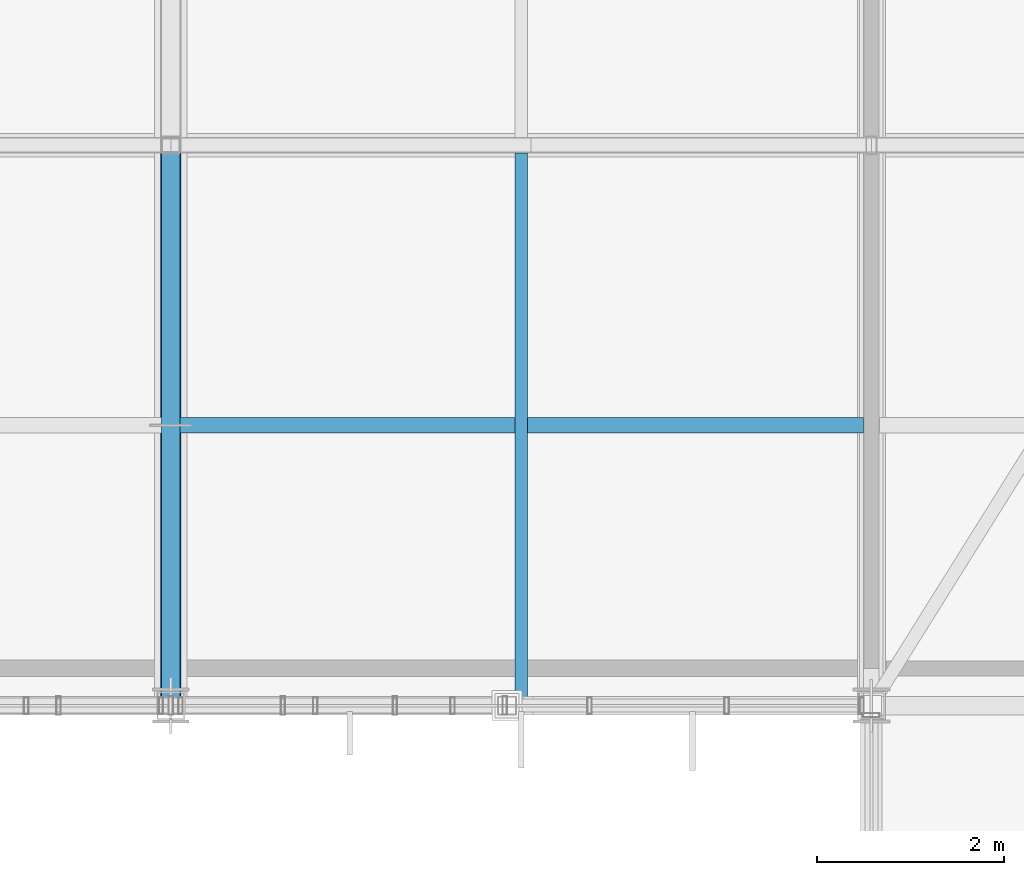
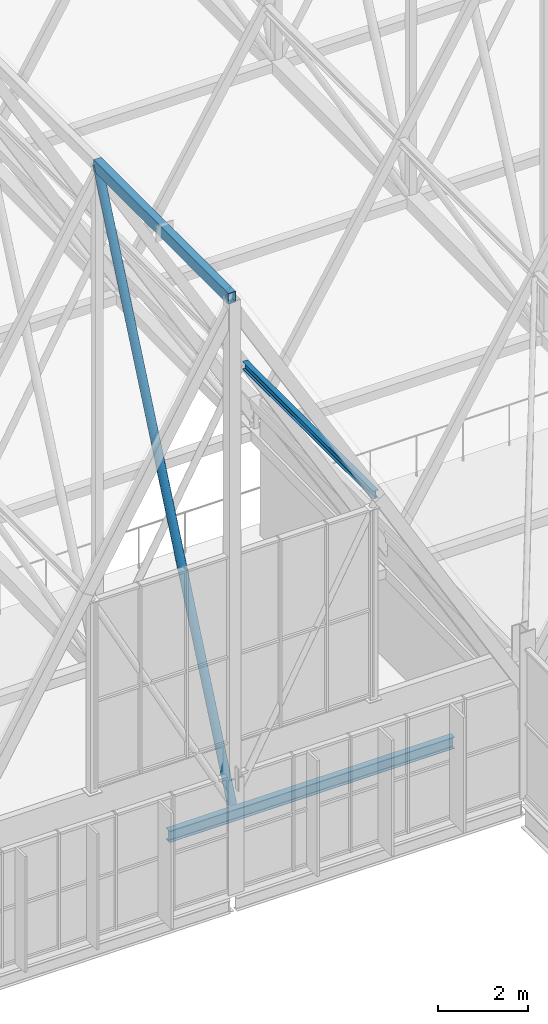
# One storey, part 138 of 324: 2 beams, 2 members.
"""IFC4 building model written with IfcOpenShell, lengths in metres."""

import ifcopenshell
import ifcopenshell.guid

model = None  # the IFC model being written
_history = None  # IfcOwnerHistory: only IFC2X3 demands one
_inside = {}  # id of a spatial element -> (the spatial element, [elements in it])
_under = {}  # id of a project, library or spatial element -> (it, [spatial elements below it])
_declared = {}  # id of a project -> (the project, [libraries it declares])
_typed = {}  # id of a type object -> (the type object, [elements of that type])
_made_of = {}  # id of a material, layer set ... -> (it, [elements and type objects made of it])


def new_model(schema):
    """Start an empty IFC model of exactly this schema.

    Asked for "IFC4X3", IfcOpenShell would pick the latest addendum, in which some entities
    have other attributes; the version numbers below select the first issue.
    IFC2X3 requires an IfcOwnerHistory on every rooted entity: one is made here for all.
    """
    global model, _history
    if schema == "IFC4X3":
        model = ifcopenshell.file(schema_version=(4, 3, 0, 0))
    else:
        model = ifcopenshell.file(schema=schema)
    _inside.clear()
    _under.clear()
    _declared.clear()
    _typed.clear()
    _made_of.clear()
    _history = None
    if model.schema == "IFC2X3":
        org = make("IfcOrganization", Name="unknown")
        user = make(
            "IfcPersonAndOrganization",
            ThePerson=make("IfcPerson", FamilyName="unknown"),
            TheOrganization=org,
        )
        app = make(
            "IfcApplication",
            ApplicationDeveloper=org,
            Version="unknown",
            ApplicationFullName="unknown",
            ApplicationIdentifier="unknown",
        )
        _history = make(
            "IfcOwnerHistory",
            OwningUser=user,
            OwningApplication=app,
            ChangeAction="ADDED",
            CreationDate=0,
        )
    return model


def make(cls, **values):
    """One entity of the class cls with the attributes given. An attribute that is None is left unset."""
    return model.create_entity(
        cls, **{name: value for name, value in values.items() if value is not None}
    )


def rooted(cls, **values):
    """An entity with a GlobalId (a new one), such as an element, a storey or a relation."""
    return make(cls, GlobalId=ifcopenshell.guid.new(), OwnerHistory=_history, **values)


def si_unit(unit_type, name, prefix=None):
    """IfcSIUnit, for example si_unit("LENGTHUNIT", "METRE", prefix="MILLI")."""
    return make("IfcSIUnit", UnitType=unit_type, Prefix=prefix, Name=name)


def assignment(units):
    """IfcUnitAssignment: the units of a project."""
    return None if units is None else make("IfcUnitAssignment", Units=units)


def point(xyz):
    """IfcCartesianPoint."""
    return None if xyz is None else make("IfcCartesianPoint", Coordinates=xyz)


def direction(xyz):
    """IfcDirection."""
    return None if xyz is None else make("IfcDirection", DirectionRatios=xyz)


def frame(location, z_axis=None, x_axis=None):
    """IfcAxis2Placement3D, a coordinate frame: its origin and axes. An axis left out is left unset."""
    return make(
        "IfcAxis2Placement3D",
        Location=point(location),
        Axis=direction(z_axis),
        RefDirection=direction(x_axis),
    )


def frame_2d(location, x_axis=None):
    """IfcAxis2Placement2D, a coordinate frame in the plane: its origin and x axis."""
    return make(
        "IfcAxis2Placement2D", Location=point(location), RefDirection=direction(x_axis)
    )


def origin():
    """The frame at (0, 0, 0) with its axes left unset."""
    return frame((0.0, 0.0, 0.0))


def origin_2d():
    """The frame at (0, 0) in the plane with its x axis left unset."""
    return frame_2d((0.0, 0.0))


def place(relative_to, where):
    """IfcLocalPlacement: puts the frame where relative to a parent placement (None: the world)."""
    return make(
        "IfcLocalPlacement", PlacementRelTo=relative_to, RelativePlacement=where
    )


def context(
    kind, dimensions, precision=None, world=None, true_north=None, identifier=None
):
    """IfcGeometricRepresentationContext, for example the 3D "Model" context."""
    return make(
        "IfcGeometricRepresentationContext",
        ContextIdentifier=identifier,
        ContextType=kind,
        CoordinateSpaceDimension=dimensions,
        Precision=precision,
        WorldCoordinateSystem=world,
        TrueNorth=true_north,
    )


def subcontext(parent, identifier, kind, view, scale=None):
    """IfcGeometricRepresentationSubContext, for example "Body" below "Model"."""
    return make(
        "IfcGeometricRepresentationSubContext",
        ContextIdentifier=identifier,
        ContextType=kind,
        ParentContext=parent,
        TargetScale=scale,
        TargetView=view,
    )


def project(units=None, contexts=None):
    """IfcProject with its units and contexts."""
    return rooted(
        "IfcProject",
        Name="project",
        RepresentationContexts=contexts,
        UnitsInContext=assignment(units),
    )


def spatial(cls, under=None, at=None, **own):
    """A site, building, storey or space (cls), placed at a placement, below another one or the project."""
    s = rooted(cls, ObjectPlacement=at, **own)
    if under is not None:
        _under.setdefault(under.id(), (under, []))[1].append(s)
    return s


def profile(cls, at=None, kind="AREA", **sizes):
    """A parametric profile (cls). Its sizes go by their IFC names, for example OverallWidth=200.0."""
    return make(cls, ProfileType=kind, Position=at, **sizes)


def hollow_rectangle(**sizes):
    """IfcRectangleHollowProfileDef."""
    return profile("IfcRectangleHollowProfileDef", **sizes)


def hollow_circle(**sizes):
    """IfcCircleHollowProfileDef."""
    return profile("IfcCircleHollowProfileDef", **sizes)


def i_section(**sizes):
    """IfcIShapeProfileDef."""
    return profile("IfcIShapeProfileDef", **sizes)


def extrude(swept, where, along, depth):
    """IfcExtrudedAreaSolid: the profile swept, set in the frame where, extruded along a direction by depth."""
    return make(
        "IfcExtrudedAreaSolid",
        SweptArea=swept,
        Position=where,
        ExtrudedDirection=direction(along),
        Depth=depth,
    )


def shape(context_of_items, identifier, shape_type, items):
    """IfcShapeRepresentation: the items that make up one representation, for example the "Body"."""
    return make(
        "IfcShapeRepresentation",
        ContextOfItems=context_of_items,
        RepresentationIdentifier=identifier,
        RepresentationType=shape_type,
        Items=items,
    )


def material(Name=None, Category=None):
    """IfcMaterial."""
    return make("IfcMaterial", Name=Name, Category=Category)


def material_profile(
    of_material, cross_section, Name=None, Category=None, Priority=None
):
    """IfcMaterialProfile: a cross section and its material."""
    return make(
        "IfcMaterialProfile",
        Name=Name,
        Material=of_material,
        Profile=cross_section,
        Priority=Priority,
        Category=Category,
    )


def profile_set(profiles, Name=None, composite=None):
    """IfcMaterialProfileSet."""
    return make(
        "IfcMaterialProfileSet",
        Name=Name,
        MaterialProfiles=profiles,
        CompositeProfile=composite,
    )


def made_of(thing, what):
    """Note that an element or type object is made of a material, layer set ...; save() writes the relation."""
    if what is not None:
        _made_of.setdefault(what.id(), (what, []))[1].append(thing)
    return thing


def type_object(cls, material=None, **own):
    """A type object (cls), such as IfcWallType, which elements share."""
    return made_of(rooted(cls, **own), material)


def element(
    cls,
    number,
    at=None,
    inside=None,
    cuts=None,
    type_object=None,
    material=None,
    context=None,
    identifier="Body",
    shape_type=None,
    held_by="IfcProductDefinitionShape",
    body=None,
    shapes=None,
    **own,
):
    """One element of the class cls, such as IfcWall. Its Tag is "e" and its number.

    at: its placement. inside: the storey or other place that contains it. cuts: it is an
    opening in that element (IfcRelVoidsElement). A single representation is given by context,
    identifier, shape_type and body (its items); several are given by shapes. held_by: the class
    of the entity that holds the representations. save() writes the other relations.
    """
    e = rooted(cls, Tag="e%d" % number, ObjectPlacement=at, **own)
    if body is not None:
        shapes = [shape(context, identifier, shape_type, body)]
    if shapes is not None:
        e.Representation = make(held_by, Representations=shapes)
    if inside is not None:
        _inside.setdefault(inside.id(), (inside, []))[1].append(e)
    if cuts is not None:
        rooted(
            "IfcRelVoidsElement", RelatingBuildingElement=cuts, RelatedOpeningElement=e
        )
    if type_object is not None:
        _typed.setdefault(type_object.id(), (type_object, []))[1].append(e)
    return made_of(e, material)


def aggregate(whole, parts):
    """IfcRelAggregates: a whole, such as a stair, and the parts it consists of."""
    return rooted("IfcRelAggregates", RelatingObject=whole, RelatedObjects=parts)


def save(model, path):
    """Write the relations noted so far, then the file.

    IfcRelAggregates (storeys below a building ...), IfcRelContainedInSpatialStructure (elements
    in a storey), IfcRelDefinesByType, IfcRelAssociatesMaterial and IfcRelDeclares: one each for
    every whole, place, type object, material and project.
    """
    for whole, parts in _under.values():
        aggregate(whole, parts)
    for where, things in _inside.values():
        rooted(
            "IfcRelContainedInSpatialStructure",
            RelatedElements=things,
            RelatingStructure=where,
        )
    for kind, things in _typed.values():
        rooted("IfcRelDefinesByType", RelatedObjects=things, RelatingType=kind)
    for what, things in _made_of.values():
        rooted("IfcRelAssociatesMaterial", RelatedObjects=things, RelatingMaterial=what)
    for by, libraries in _declared.values():
        rooted("IfcRelDeclares", RelatingContext=by, RelatedDefinitions=libraries)
    model.write(path)


model = new_model("IFC4")

# Units and contexts
model_context = context("Model", 3, precision=1e-05, world=origin(), true_north=direction((0.0, 1.0)))
body_context = subcontext(model_context, "Body", "Model", "MODEL_VIEW")
ifc_project = project(units=[si_unit("LENGTHUNIT", "METRE"), si_unit("AREAUNIT", "SQUARE_METRE"), si_unit("VOLUMEUNIT", "CUBIC_METRE"), si_unit("PLANEANGLEUNIT", "RADIAN"), si_unit("MASSUNIT", "GRAM", prefix="KILO")], contexts=[model_context])

# Site, building, storey
site_placement = place(None, origin())
site = spatial("IfcSite", under=ifc_project, at=site_placement, CompositionType="ELEMENT")
building_placement = place(site_placement, origin())
building = spatial("IfcBuilding", under=site, at=building_placement, Name="Solvenia Promenade Tram Depot", CompositionType="ELEMENT")
storey_placement = place(building_placement, frame((0.0, 0.0, 4.5)))
storey = spatial("IfcBuildingStorey", under=building, at=storey_placement, Name="L01", CompositionType="ELEMENT", Elevation=4.5)

# Members
ifc_material_1 = material(Name="Structural steel ASTM A500 Gr. C", Category="steel")
ifc_material_profile_1 = material_profile(ifc_material_1, hollow_circle(Radius=0.109619140625, WallThickness=0.008056640625, at=origin_2d()), Name="CHS219.1x8", Category="steel")
ifc_profile_set_1 = profile_set([ifc_material_profile_1], Name="Structural steel ASTM A500 Gr. C")
member_type_1 = type_object("IfcMemberType", Name="Brace-CHS219x8", PredefinedType="BRACE", material=ifc_profile_set_1)
member_1_placement = place(storey_placement, frame((97.5, 66.0, 2.320068359375), z_axis=(0.0, 0.399509410742, 0.916729093423), x_axis=(-1.0, 0.0, 0.0)))
element("IfcMember", 1, at=member_1_placement, inside=storey, type_object=member_type_1, Name="Arched Truss T14 Web Diagonal S01", PredefinedType="BRACE", context=body_context, shape_type="SweptSolid", body=[
    extrude(hollow_circle(Radius=0.109619140625, WallThickness=0.008056640625, at=origin_2d()), origin(), (0.0, 0.0, 1.0), 15.018310546875),
])
ifc_material_profile_2 = material_profile(ifc_material_1, hollow_rectangle(XDim=0.199951171875, YDim=0.300048828125, WallThickness=0.012451171875, at=origin_2d()), Name="HSS300x200x12.5", Category="steel")
ifc_profile_set_2 = profile_set([ifc_material_profile_2], Name="Structural steel ASTM A500 Gr. C")
member_type_2 = type_object("IfcMemberType", Name="Chord-HSS300x200x12", PredefinedType="CHORD", material=ifc_profile_set_2)
member_2_placement = place(storey_placement, frame((97.5, 66.0, 16.087890625), z_axis=(0.0, 1.0, 0.0), x_axis=(-1.0, 0.0, 0.0)))
element("IfcMember", 2, at=member_2_placement, inside=storey, type_object=member_type_2, Name="Arched Truss T14 Upper Chord S01", PredefinedType="CHORD", context=body_context, shape_type="SweptSolid", body=[
    extrude(hollow_rectangle(XDim=0.199951171875, YDim=0.300048828125, WallThickness=0.012451171875, at=origin_2d()), origin(), (0.0, 0.0, 1.0), 6.0),
])

# Beams
ifc_material_2 = material(Name="Structural steel ASTM A992 Gr. 50", Category="steel")
ifc_material_profile_3 = material_profile(ifc_material_2, i_section(OverallWidth=0.166015625, OverallDepth=0.31298828125, WebThickness=0.006591796875, FlangeThickness=0.01123046875, FilletRadius=0.010009765625, at=origin_2d()), Name="W310x45", Category="steel")
ifc_profile_set_3 = profile_set([ifc_material_profile_3], Name="Structural steel ASTM A992 Gr. 50")
beam_type_1 = type_object("IfcBeamType", Name="Joist-W310x45", PredefinedType="JOIST", material=ifc_profile_set_3)
beam_1_placement = place(storey_placement, frame((97.5849609375, 69.0, -0.37646484375), z_axis=(1.0, 0.0, 0.0), x_axis=(0.0, 1.0, 0.0)))
element("IfcBeam", 3, at=beam_1_placement, inside=storey, type_object=beam_type_1, Name="Secondary Floor Joist BM-L01-0100", PredefinedType="JOIST", context=body_context, shape_type="SweptSolid", body=[
    extrude(i_section(OverallWidth=0.166015625, OverallDepth=0.31298828125, WebThickness=0.006591796875, FlangeThickness=0.01123046875, FilletRadius=0.010009765625, at=origin_2d()), origin(), (0.0, 0.0, 1.0), 7.330078125),
])
ifc_material_profile_4 = material_profile(ifc_material_2, i_section(OverallWidth=0.133056640625, OverallDepth=0.20703125, WebThickness=0.005859375, FlangeThickness=0.00830078125, FilletRadius=0.009033203125, at=origin_2d()), Name="W200x27", Category="steel")
ifc_profile_set_4 = profile_set([ifc_material_profile_4], Name="Structural steel ASTM A992 Gr. 50")
beam_type_2 = type_object("IfcBeamType", Name="Purlin-W200x27", PredefinedType="USERDEFINED", material=ifc_profile_set_4)
beam_2_placement = place(storey_placement, frame((101.25, 66.0849609375, 9.375732421875), z_axis=(0.0, 1.0, 0.0), x_axis=(-1.0, 0.0, 0.0)))
element("IfcBeam", 4, at=beam_2_placement, inside=storey, type_object=beam_type_2, Name="Gable Roof Purlin E-0122", ObjectType="PURLIN", PredefinedType="USERDEFINED", context=body_context, shape_type="SweptSolid", body=[
    extrude(i_section(OverallWidth=0.133056640625, OverallDepth=0.20703125, WebThickness=0.005859375, FlangeThickness=0.00830078125, FilletRadius=0.009033203125, at=origin_2d()), origin(), (0.0, 0.0, 1.0), 5.830078125),
])

save(model, "model.ifc")
